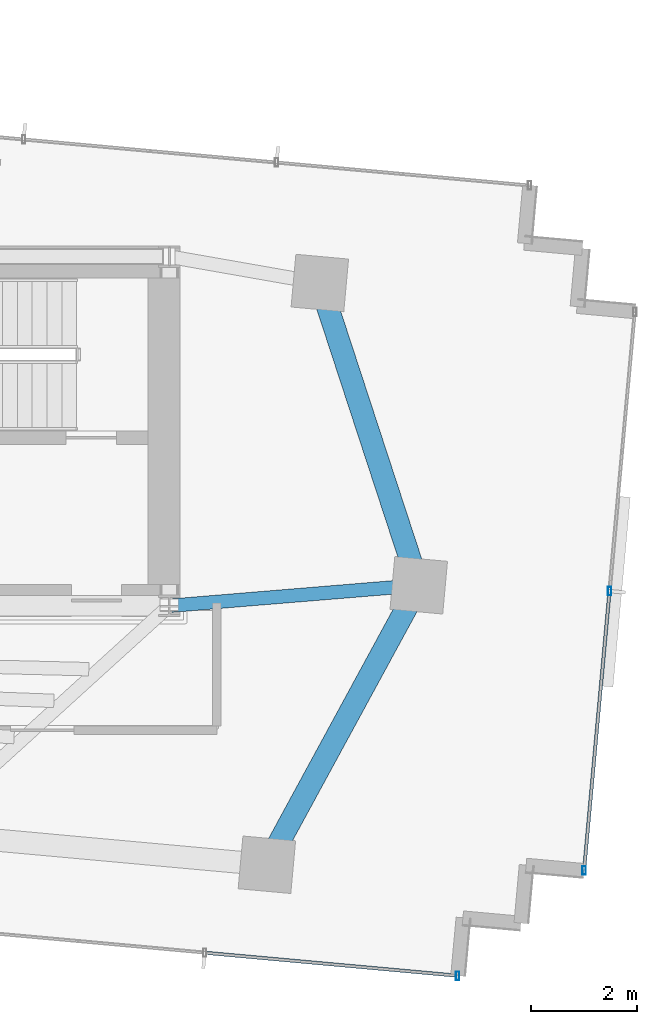
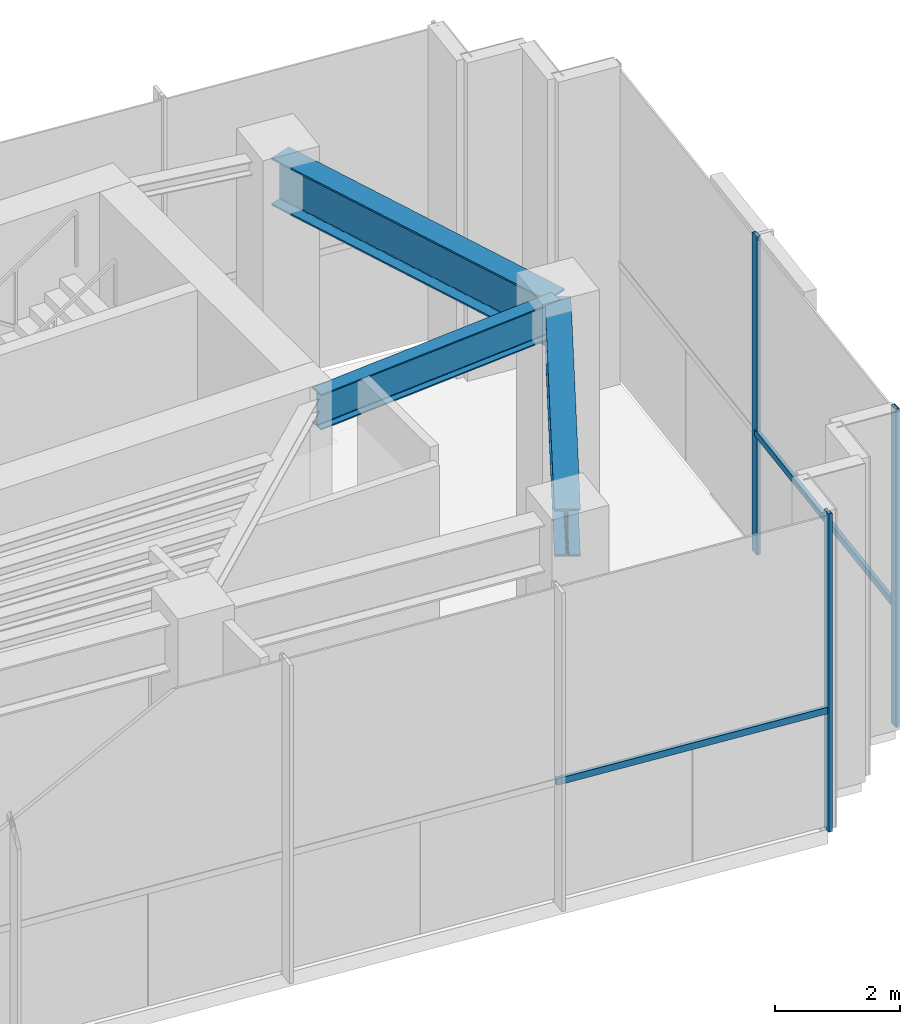
# One storey, part 12 of 18: 5 members, 3 beams, 2 elements without a shape of their own.
"""IFC4 building model written with IfcOpenShell, lengths in metres."""

from ifc_helpers import new_model, si_unit, direction, frame, origin, origin_2d, place, context, subcontext, project, spatial, hollow_rectangle, i_section, extrude, source, transform, mapped, material, material_profile, profile_set, type_object, type_shapes, element, aggregate, save


model = new_model("IFC4")

# Units and contexts
model_context = context("Model", 3, precision=1e-05, world=origin(), true_north=direction((0.0, 1.0)))
body_context = subcontext(model_context, "Body", "Model", "MODEL_VIEW")
ifc_project = project(units=[si_unit("LENGTHUNIT", "METRE"), si_unit("AREAUNIT", "SQUARE_METRE"), si_unit("VOLUMEUNIT", "CUBIC_METRE"), si_unit("PLANEANGLEUNIT", "RADIAN"), si_unit("MASSUNIT", "GRAM", prefix="KILO")], contexts=[model_context])

# Site, building, storey
site_placement = place(None, origin())
site = spatial("IfcSite", under=ifc_project, at=site_placement, CompositionType="ELEMENT")
building_placement = place(site_placement, origin())
building = spatial("IfcBuilding", under=site, at=building_placement, Name="Astriad Promenade Condominiums", CompositionType="ELEMENT")
storey_placement = place(building_placement, frame((0.0, 0.0, 277.300048828125)))
storey = spatial("IfcBuildingStorey", under=building, at=storey_placement, Name="L78", CompositionType="ELEMENT", Elevation=277.300048828125)

# Beams
ifc_material_1 = material(Name="Steel ASTM A992 Grade 50", Category="steel")
ifc_material_profile_1 = material_profile(ifc_material_1, i_section(OverallWidth=0.255859375, OverallDepth=0.693115234375, WebThickness=0.014404296875, FlangeThickness=0.023681640625, FilletRadius=0.020263671875, at=origin_2d()), Name="W27X114")
ifc_profile_set_1 = profile_set([ifc_material_profile_1], Name="Steel ASTM A992 Grade 50")
beam_type_1 = type_object("IfcBeamType", Name="STEEL FLOOR GIRDER W27X114", PredefinedType="BEAM", material=ifc_profile_set_1)
shared_shape_1 = source(origin(), body_context, "Body", "SweptSolid", [
    extrude(i_section(OverallWidth=0.255859375, OverallDepth=0.693115234375, WebThickness=0.014404296875, FlangeThickness=0.023681640625, FilletRadius=0.020263671875, at=origin_2d()), origin(), (0.0, 0.0, 1.0), 4.651611328125),
])
type_shapes(beam_type_1, [shared_shape_1])
beam_placement = place(storey_placement, frame((50.27587890625, 17.78466796875, 5.873291015625), z_axis=(-0.996633871262, -0.081981257934, 0.0), x_axis=(0.081981257934, -0.996633871262, 0.0)))
element("IfcBeam", 1, at=beam_placement, inside=storey, type_object=beam_type_1, Name="Primary Floor Girder PG-EM-L78", PredefinedType="BEAM", context=body_context, shape_type="MappedRepresentation", body=[
    mapped(shared_shape_1, transform((0.0, 0.0, 0.0), scale=1.0)),
])
ifc_material_profile_2 = material_profile(ifc_material_1, i_section(OverallWidth=0.418212890625, OverallDepth=0.926513671875, WebThickness=0.019287109375, FlangeThickness=0.031982421875, FilletRadius=0.024169921875, at=origin_2d()), Name="W36X231")
ifc_profile_set_2 = profile_set([ifc_material_profile_2], Name="Steel ASTM A992 Grade 50")
beam_type_2 = type_object("IfcBeamType", Name="STEEL CROWN RING BEAM W36X231", PredefinedType="BEAM", material=ifc_profile_set_2)
shared_shape_2 = source(origin(), body_context, "Body", "SweptSolid", [
    extrude(i_section(OverallWidth=0.418212890625, OverallDepth=0.926513671875, WebThickness=0.019287109375, FlangeThickness=0.031982421875, FilletRadius=0.024169921875, at=origin_2d()), origin(), (0.0, 0.0, 1.0), 5.93115234375),
])
type_shapes(beam_type_2, [shared_shape_2])
for number, where, z_axis, x_axis, name in (
    (2, (47.464599609375, 12.54150390625, 5.756591796875), (0.477527827146, 0.878616625327, 0.0), (-0.878616625327, 0.477527827146, 0.0), "Perimeter Spandrel Beam SP-E1-L78"),
    (3, (50.303466796875, 17.825927734375, 5.756591796875), (-0.311061368201, 0.950389828025, 0.0), (-0.950389828025, -0.311061368201, 0.0), "Perimeter Spandrel Beam SP-E2-L78"),
):
    element("IfcBeam", number, at=place(storey_placement, frame(where, z_axis=z_axis, x_axis=x_axis)), inside=storey, type_object=beam_type_2, Name=name, PredefinedType="BEAM", context=body_context, shape_type="MappedRepresentation", body=[
        mapped(shared_shape_2, transform((0.0, 0.0, 0.0), scale=1.0)),
    ])

# Curtain wall, members
ifc_material_2 = material(Name="Anodised aluminium Black Dark Glass Unitised", Category="aluminium")
curtain_wall_type = type_object("IfcCurtainWallType", Name="CW-TMD-LANTERN", PredefinedType="USERDEFINED", material=ifc_material_2)
curtain_wall_1_placement = place(storey_placement, origin())
curtain_wall_1 = element("IfcCurtainWall", 4, at=curtain_wall_1_placement, inside=storey, type_object=curtain_wall_type, Name="CW-CRN-L78-13", ObjectType="UNITISED_CURTAIN_WALL", PredefinedType="USERDEFINED")
ifc_material_3 = material(Name="Anodised aluminium 6063-T6 Black", Category="aluminium")
ifc_material_profile_3 = material_profile(ifc_material_3, hollow_rectangle(XDim=0.06494140625, YDim=0.1298828125, WallThickness=0.00390625, at=origin_2d()), Name="ALU-TRN-65X130")
ifc_profile_set_3 = profile_set([ifc_material_profile_3], Name="Anodised aluminium 6063-T6 Black")
member_type_1 = type_object("IfcMemberType", Name="TRN-ALU-TRN-65X130", PredefinedType="USERDEFINED", material=ifc_profile_set_3)
shared_shape_3 = source(origin(), body_context, "Body", "SweptSolid", [
    extrude(hollow_rectangle(XDim=0.06494140625, YDim=0.1298828125, WallThickness=0.00390625, at=origin_2d()), origin(), (0.0, 0.0, 1.0), 5.2998046875),
])
member_1_placement = place(storey_placement, frame((53.921875, 17.677978515625, 2.349853515625), z_axis=(-0.090656194392, -0.995882249274, 0.0), x_axis=(0.995882249274, -0.090656194392, 0.0)))
member_1 = element("IfcMember", 5, at=member_1_placement, type_object=member_type_1, Name="CW-CRN-L78-13-TRN-01-0", ObjectType="TRANSOM", PredefinedType="USERDEFINED", context=body_context, shape_type="MappedRepresentation", body=[
    mapped(shared_shape_3, transform((0.0, 0.0, 0.0), scale=1.0)),
])
ifc_material_profile_4 = material_profile(ifc_material_3, hollow_rectangle(XDim=0.06494140625, YDim=0.159912109375, WallThickness=0.00390625, at=origin_2d()), Name="ALU-MUL-65X160")
ifc_profile_set_4 = profile_set([ifc_material_profile_4], Name="Anodised aluminium 6063-T6 Black")
member_type_2 = type_object("IfcMemberType", Name="MUL-ALU-MUL-65X160", PredefinedType="MULLION", material=ifc_profile_set_4)
shared_shape_4 = source(origin(), body_context, "Body", "SweptSolid", [
    extrude(hollow_rectangle(XDim=0.06494140625, YDim=0.159912109375, WallThickness=0.00390625, at=origin_2d()), origin(), (0.0, 0.0, 1.0), 6.219970703125),
])
type_shapes(member_type_2, [shared_shape_4])
member_2_placement = place(storey_placement, frame((53.921875, 17.677978515625, 0.0), z_axis=(0.0, 0.0, 1.0), x_axis=(1.0, 0.0, 0.0)))
member_2 = element("IfcMember", 6, at=member_2_placement, type_object=member_type_2, Name="CW-CRN-L78-13-MUL-01", PredefinedType="MULLION", context=body_context, shape_type="MappedRepresentation", body=[
    mapped(shared_shape_4, transform((0.0, 0.0, 0.0), scale=1.0)),
])
member_3_placement = place(storey_placement, frame((53.44140625, 12.39990234375, 0.0), z_axis=(0.0, 0.0, 1.0), x_axis=(1.0, 0.0, 0.0)))
member_3 = element("IfcMember", 7, at=member_3_placement, type_object=member_type_2, Name="CW-CRN-L78-13-MUL-02", PredefinedType="MULLION", context=body_context, shape_type="MappedRepresentation", body=[
    mapped(shared_shape_4, transform((0.0, 0.0, 0.0), scale=1.0)),
])
aggregate(curtain_wall_1, [member_2, member_3, member_1])

curtain_wall_2_placement = place(storey_placement, origin())
curtain_wall_2 = element("IfcCurtainWall", 8, at=curtain_wall_2_placement, inside=storey, type_object=curtain_wall_type, Name="CW-CRN-L78-18", ObjectType="UNITISED_CURTAIN_WALL", PredefinedType="USERDEFINED")
member_4_placement = place(storey_placement, frame((51.051025390625, 10.408203125, 0.0), z_axis=(0.0, 0.0, 1.0), x_axis=(1.0, 0.0, 0.0)))
member_4 = element("IfcMember", 9, at=member_4_placement, type_object=member_type_2, Name="CW-CRN-L78-18-MUL-00", PredefinedType="MULLION", context=body_context, shape_type="MappedRepresentation", body=[
    mapped(shared_shape_4, transform((0.0, 0.0, 0.0), scale=1.0)),
])
shared_shape_5 = source(origin(), body_context, "Body", "SweptSolid", [
    extrude(hollow_rectangle(XDim=0.06494140625, YDim=0.1298828125, WallThickness=0.00390625, at=origin_2d()), origin(), (0.0, 0.0, 1.0), 4.7998046875),
])
type_shapes(member_type_1, [shared_shape_3, shared_shape_5])
member_5_placement = place(storey_placement, frame((51.051025390625, 10.408203125, 2.349853515625), z_axis=(-0.9958836116, 0.090641227635, 0.0), x_axis=(-0.090641227635, -0.9958836116, 0.0)))
member_5 = element("IfcMember", 10, at=member_5_placement, type_object=member_type_1, Name="CW-CRN-L78-18-TRN-00-0", ObjectType="TRANSOM", PredefinedType="USERDEFINED", context=body_context, shape_type="MappedRepresentation", body=[
    mapped(shared_shape_5, transform((0.0, 0.0, 0.0), scale=1.0)),
])
aggregate(curtain_wall_2, [member_4, member_5])

save(model, "model.ifc")
